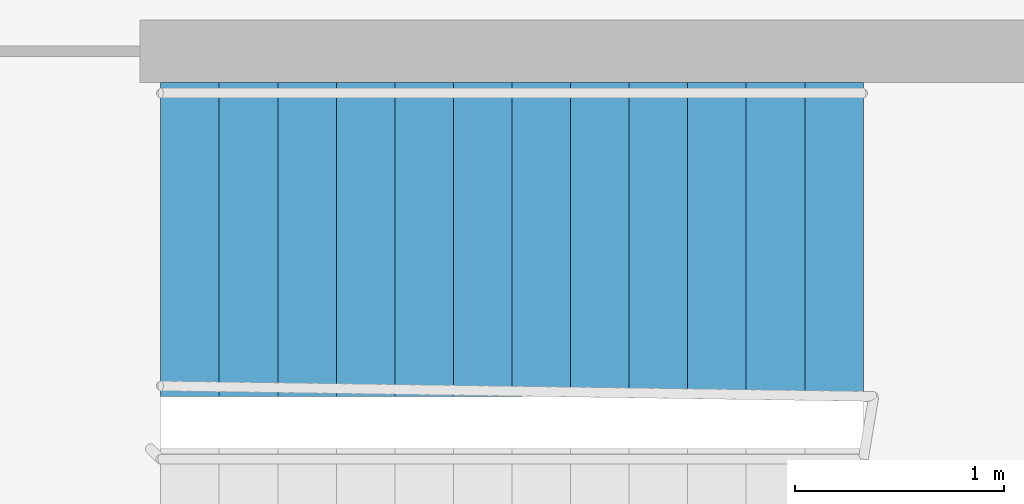
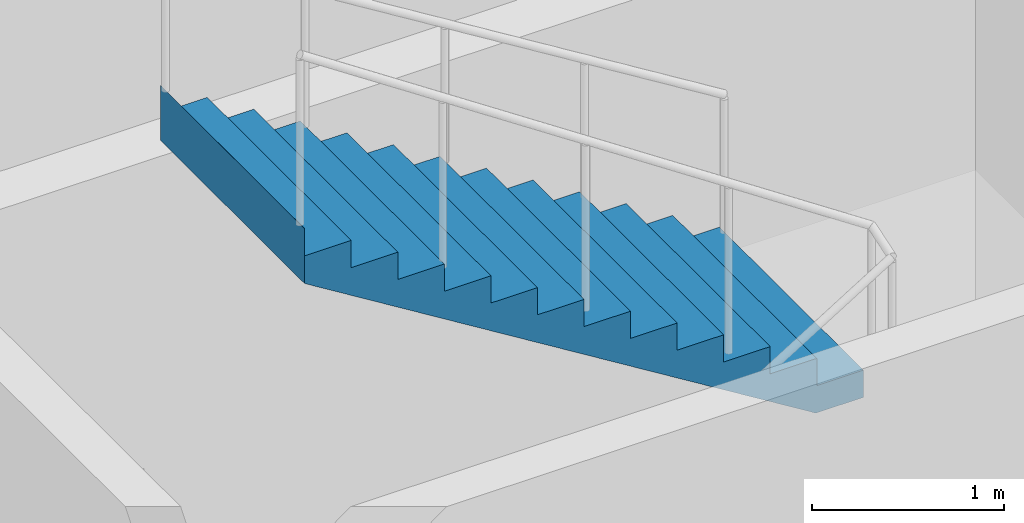
# One storey, part 13 of 15: 1 stair flight, 1 element without a shape of its own.
"""IFC4 building model written with IfcOpenShell, lengths in metres."""

from ifc_helpers import new_model, si_unit, direction, frame, origin, place, context, subcontext, project, spatial, faceted_brep, material, type_object, element, aggregate, save


model = new_model("IFC4")

# Units and contexts
model_context = context("Model", 3, precision=1e-05, world=origin(), true_north=direction((0.0, 1.0)))
body_context = subcontext(model_context, "Body", "Model", "MODEL_VIEW")
ifc_project = project(units=[si_unit("LENGTHUNIT", "METRE"), si_unit("AREAUNIT", "SQUARE_METRE"), si_unit("VOLUMEUNIT", "CUBIC_METRE"), si_unit("PLANEANGLEUNIT", "RADIAN"), si_unit("MASSUNIT", "GRAM", prefix="KILO")], contexts=[model_context])

# Site, building, storey
site_placement = place(None, origin())
site = spatial("IfcSite", under=ifc_project, at=site_placement, CompositionType="ELEMENT")
building_placement = place(site_placement, origin())
building = spatial("IfcBuilding", under=site, at=building_placement, Name="Kajstack Hotel Tower", CompositionType="ELEMENT")
storey_placement = place(building_placement, frame((0.0, 0.0, 29.0)))
storey = spatial("IfcBuildingStorey", under=building, at=storey_placement, Name="L04", CompositionType="ELEMENT", Elevation=29.0)

# Stair, stair flight
ifc_material = material(Name="Concrete C40/50", Category="concrete")
stair_type = type_object("IfcStairType", Name="Exit stair 1500", PredefinedType="HALF_TURN_STAIR", material=ifc_material)
stair_placement = place(storey_placement, origin())
stair = element("IfcStair", 1, at=stair_placement, inside=storey, type_object=stair_type, Name="L04 stair E3", PredefinedType="HALF_TURN_STAIR")
stair_flight_type = type_object("IfcStairFlightType", Name="Exit stair flight 1500", PredefinedType="STRAIGHT", material=ifc_material)
stair_flight_placement = place(storey_placement, frame((29.06005859375, 14.449951171875, 2.25), z_axis=(0.0, 0.0, 1.0), x_axis=(-1.0, 0.0, 0.0)))
stair_flight = element("IfcStairFlight", 2, at=stair_flight_placement, type_object=stair_flight_type, Name="E3 flight 2", NumberOfRisers=13, NumberOfTreads=12, PredefinedType="STRAIGHT", RiserHeight=0.173076923, TreadLength=0.28, context=body_context, shape_type="Brep", body=[
    faceted_brep([(0.28564453125, -0.75, 0.0), (3.360595703125, -0.75, 1.900634765625), (3.360595703125, -0.75, 2.25), (3.360107421875, -0.75, 2.25), (3.360107421875, -0.75, 2.076904296875), (3.080078125, -0.75, 2.076904296875), (3.080078125, -0.75, 1.90380859375), (2.800048828125, -0.75, 1.90380859375), (2.800048828125, -0.75, 1.730712890625), (2.52001953125, -0.75, 1.730712890625), (2.52001953125, -0.75, 1.5576171875), (2.239990234375, -0.75, 1.5576171875), (2.239990234375, -0.75, 1.384521484375), (1.9599609375, -0.75, 1.384521484375), (1.9599609375, -0.75, 1.21142578125), (1.679931640625, -0.75, 1.21142578125), (1.679931640625, -0.75, 1.03857421875), (1.39990234375, -0.75, 1.03857421875), (1.39990234375, -0.75, 0.865478515625), (1.1201171875, -0.75, 0.865478515625), (1.1201171875, -0.75, 0.6923828125), (0.840087890625, -0.75, 0.6923828125), (0.840087890625, -0.75, 0.519287109375), (0.56005859375, -0.75, 0.519287109375), (0.56005859375, -0.75, 0.34619140625), (0.280029296875, -0.75, 0.34619140625), (0.280029296875, -0.75, 0.173095703125), (-0.00048828125, -0.75, 0.173095703125), (-0.00048828125, -0.75, 0.0), (-0.00048828125, 0.75, 0.0), (-0.00048828125, 0.75, 0.173095703125), (0.280029296875, 0.75, 0.173095703125), (0.280029296875, 0.75, 0.34619140625), (0.56005859375, 0.75, 0.34619140625), (0.56005859375, 0.75, 0.519287109375), (0.840087890625, 0.75, 0.519287109375), (0.840087890625, 0.75, 0.6923828125), (1.1201171875, 0.75, 0.6923828125), (1.1201171875, 0.75, 0.865478515625), (1.39990234375, 0.75, 0.865478515625), (1.39990234375, 0.75, 1.03857421875), (1.679931640625, 0.75, 1.03857421875), (1.679931640625, 0.75, 1.21142578125), (1.9599609375, 0.75, 1.21142578125), (1.9599609375, 0.75, 1.384521484375), (2.239990234375, 0.75, 1.384521484375), (2.239990234375, 0.75, 1.5576171875), (2.52001953125, 0.75, 1.5576171875), (2.52001953125, 0.75, 1.730712890625), (2.800048828125, 0.75, 1.730712890625), (2.800048828125, 0.75, 1.90380859375), (3.080078125, 0.75, 1.90380859375), (3.080078125, 0.75, 2.076904296875), (3.360107421875, 0.75, 2.076904296875), (3.360107421875, 0.75, 2.25), (3.360595703125, 0.75, 2.25), (3.360595703125, 0.75, 1.900634765625), (0.28564453125, 0.75, 0.0), (-0.00048828125, -0.375, 0.173095703125), (-0.00048828125, 0.0, 0.173095703125), (-0.00048828125, 0.375, 0.173095703125), (-0.00048828125, 0.375, 0.0), (-0.00048828125, 0.0, 0.0), (-0.00048828125, -0.375, 0.0), (0.280029296875, -0.375, 0.173095703125), (0.280029296875, 0.0, 0.173095703125), (0.280029296875, 0.375, 0.173095703125), (0.280029296875, -0.375, 0.34619140625), (0.280029296875, 0.0, 0.34619140625), (0.280029296875, 0.375, 0.34619140625), (0.56005859375, -0.375, 0.34619140625), (0.56005859375, 0.0, 0.34619140625), (0.56005859375, 0.375, 0.34619140625), (0.56005859375, -0.375, 0.519287109375), (0.56005859375, 0.0, 0.519287109375), (0.56005859375, 0.375, 0.519287109375), (0.840087890625, -0.375, 0.519287109375), (0.840087890625, 0.0, 0.519287109375), (0.840087890625, 0.375, 0.519287109375), (0.840087890625, -0.375, 0.6923828125), (0.840087890625, 0.0, 0.6923828125), (0.840087890625, 0.375, 0.6923828125), (1.1201171875, -0.375, 0.6923828125), (1.1201171875, 0.0, 0.6923828125), (1.1201171875, 0.375, 0.6923828125), (1.1201171875, -0.375, 0.865478515625), (1.1201171875, 0.0, 0.865478515625), (1.1201171875, 0.375, 0.865478515625), (1.39990234375, -0.375, 0.865478515625), (1.39990234375, 0.0, 0.865478515625), (1.39990234375, 0.375, 0.865478515625), (1.39990234375, -0.375, 1.03857421875), (1.39990234375, 0.0, 1.03857421875), (1.39990234375, 0.375, 1.03857421875), (1.679931640625, -0.375, 1.03857421875), (1.679931640625, 0.0, 1.03857421875), (1.679931640625, 0.375, 1.03857421875), (1.679931640625, -0.375, 1.21142578125), (1.679931640625, 0.0, 1.21142578125), (1.679931640625, 0.375, 1.21142578125), (1.9599609375, -0.375, 1.21142578125), (1.9599609375, 0.0, 1.21142578125), (1.9599609375, 0.375, 1.21142578125), (1.9599609375, -0.375, 1.384521484375), (1.9599609375, 0.0, 1.384521484375), (1.9599609375, 0.375, 1.384521484375), (2.239990234375, -0.375, 1.384521484375), (2.239990234375, 0.0, 1.384521484375), (2.239990234375, 0.375, 1.384521484375), (2.239990234375, -0.375, 1.5576171875), (2.239990234375, 0.0, 1.5576171875), (2.239990234375, 0.375, 1.5576171875), (2.52001953125, -0.375, 1.5576171875), (2.52001953125, 0.0, 1.5576171875), (2.52001953125, 0.375, 1.5576171875), (2.52001953125, -0.375, 1.730712890625), (2.52001953125, 0.0, 1.730712890625), (2.52001953125, 0.375, 1.730712890625), (2.800048828125, -0.375, 1.730712890625), (2.800048828125, 0.0, 1.730712890625), (2.800048828125, 0.375, 1.730712890625), (2.800048828125, -0.375, 1.90380859375), (2.800048828125, 0.0, 1.90380859375), (2.800048828125, 0.375, 1.90380859375), (3.080078125, -0.375, 1.90380859375), (3.080078125, 0.0, 1.90380859375), (3.080078125, 0.375, 1.90380859375), (3.080078125, -0.375, 2.076904296875), (3.080078125, 0.0, 2.076904296875), (3.080078125, 0.375, 2.076904296875), (3.360107421875, -0.375, 2.076904296875), (3.360107421875, 0.0, 2.076904296875), (3.360107421875, 0.375, 2.076904296875), (3.360107421875, -0.375, 2.25), (3.360107421875, 0.0, 2.25), (3.360107421875, 0.375, 2.25), (3.360595703125, -0.375, 2.25), (3.360595703125, 0.0, 2.25), (3.360595703125, 0.375, 2.25), (3.360595703125, -0.375, 1.900634765625), (3.360595703125, 0.0, 1.900634765625), (3.360595703125, 0.375, 1.900634765625), (0.28564453125, -0.375, 0.0), (0.28564453125, 0.0, 0.0), (0.28564453125, 0.375, 0.0)], [[[0, 1, 2, 3, 4, 5, 6, 7, 8, 9, 10, 11, 12, 13, 14, 15, 16, 17, 18, 19, 20, 21, 22, 23, 24, 25, 26, 27, 28]], [[29, 30, 31, 32, 33, 34, 35, 36, 37, 38, 39, 40, 41, 42, 43, 44, 45, 46, 47, 48, 49, 50, 51, 52, 53, 54, 55, 56, 57]], [[27, 58, 59, 60, 30, 29, 61, 62, 63, 28]], [[26, 64, 65, 66, 31, 30, 60, 59, 58, 27]], [[25, 67, 68, 69, 32, 31, 66, 65, 64, 26]], [[24, 70, 71, 72, 33, 32, 69, 68, 67, 25]], [[23, 73, 74, 75, 34, 33, 72, 71, 70, 24]], [[22, 76, 77, 78, 35, 34, 75, 74, 73, 23]], [[21, 79, 80, 81, 36, 35, 78, 77, 76, 22]], [[20, 82, 83, 84, 37, 36, 81, 80, 79, 21]], [[19, 85, 86, 87, 38, 37, 84, 83, 82, 20]], [[18, 88, 89, 90, 39, 38, 87, 86, 85, 19]], [[17, 91, 92, 93, 40, 39, 90, 89, 88, 18]], [[16, 94, 95, 96, 41, 40, 93, 92, 91, 17]], [[15, 97, 98, 99, 42, 41, 96, 95, 94, 16]], [[14, 100, 101, 102, 43, 42, 99, 98, 97, 15]], [[13, 103, 104, 105, 44, 43, 102, 101, 100, 14]], [[12, 106, 107, 108, 45, 44, 105, 104, 103, 13]], [[11, 109, 110, 111, 46, 45, 108, 107, 106, 12]], [[10, 112, 113, 114, 47, 46, 111, 110, 109, 11]], [[9, 115, 116, 117, 48, 47, 114, 113, 112, 10]], [[8, 118, 119, 120, 49, 48, 117, 116, 115, 9]], [[7, 121, 122, 123, 50, 49, 120, 119, 118, 8]], [[6, 124, 125, 126, 51, 50, 123, 122, 121, 7]], [[5, 127, 128, 129, 52, 51, 126, 125, 124, 6]], [[4, 130, 131, 132, 53, 52, 129, 128, 127, 5]], [[3, 133, 134, 135, 54, 53, 132, 131, 130, 4]], [[2, 136, 137, 138, 55, 54, 135, 134, 133, 3]], [[1, 139, 140, 141, 56, 55, 138, 137, 136, 2]], [[0, 142, 143, 144, 57, 56, 141, 140, 139, 1]], [[28, 63, 62, 61, 29, 57, 144, 143, 142, 0]]]),
])
aggregate(stair, [stair_flight])

save(model, "model.ifc")
